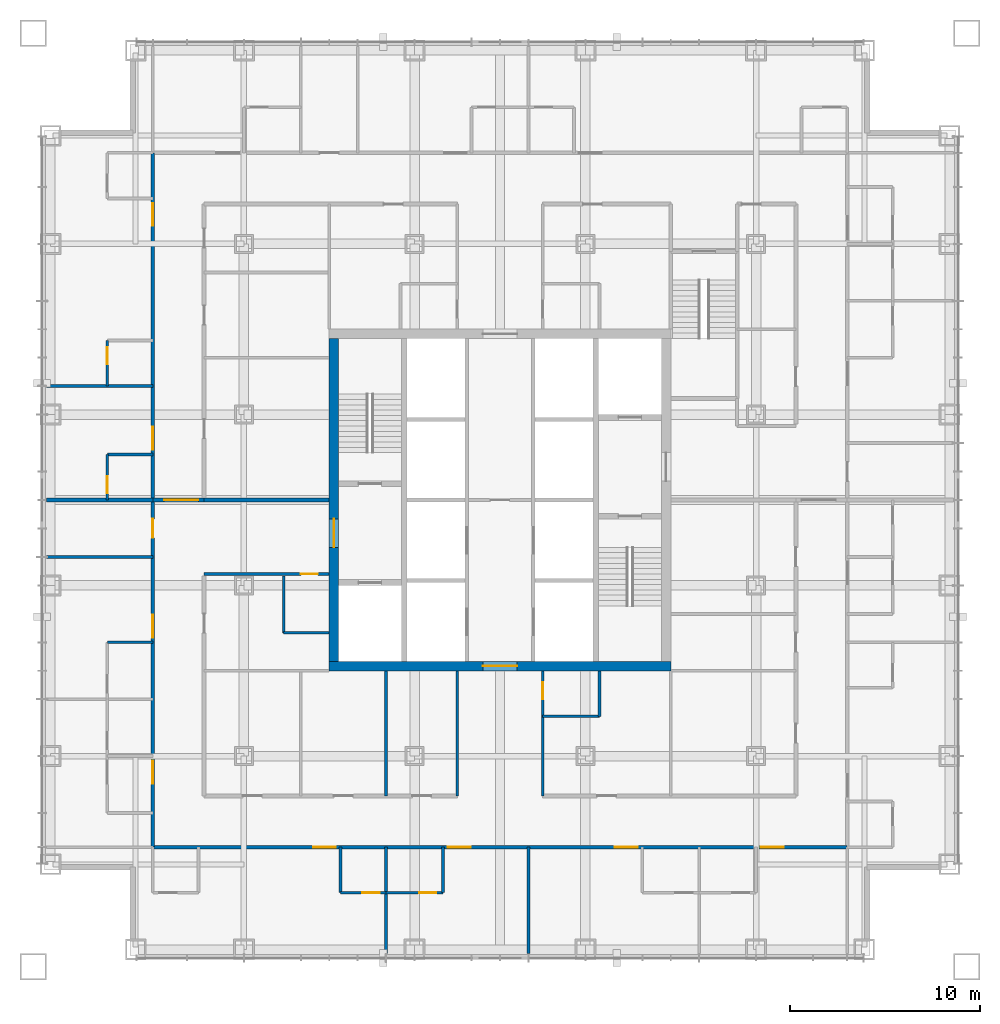
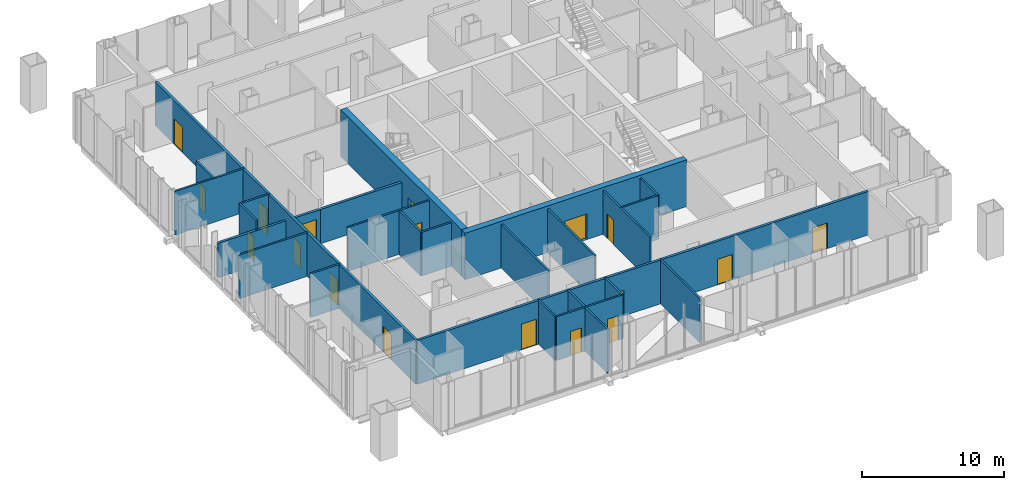
# One storey, part 9 of 16: 27 walls, 18 doors, 18 openings.
"""IFC4 building model written with IfcOpenShell, lengths in metres."""

from ifc_helpers import new_model, si_unit, direction, frame, frame_2d, origin, place, context, subcontext, project, spatial, rectangle, extrude, material, layer, layer_set, type_object, element, fill, save


model = new_model("IFC4")

# Units and contexts
model_context = context("Model", 3, precision=1e-05, world=origin(), true_north=direction((0.0, 1.0)))
body_context = subcontext(model_context, "Body", "Model", "MODEL_VIEW")
ifc_project = project(units=[si_unit("LENGTHUNIT", "METRE"), si_unit("AREAUNIT", "SQUARE_METRE"), si_unit("VOLUMEUNIT", "CUBIC_METRE"), si_unit("PLANEANGLEUNIT", "RADIAN"), si_unit("MASSUNIT", "GRAM", prefix="KILO")], contexts=[model_context])

# Site, building, storey
site_placement = place(None, origin())
site = spatial("IfcSite", under=ifc_project, at=site_placement, CompositionType="ELEMENT")
building_placement = place(site_placement, origin())
building = spatial("IfcBuilding", under=site, at=building_placement, Name="Malebo Sky Hospital", CompositionType="ELEMENT")
storey_placement = place(building_placement, frame((0.0, 0.0, 152.0)))
storey = spatial("IfcBuildingStorey", under=building, at=storey_placement, Name="L36", CompositionType="ELEMENT", Elevation=152.0)

# Wall, opening, door
ifc_material_1 = material(Name="Concrete C80/95", Category="concrete")
ifc_layer_1 = layer(ifc_material_1, 0.5)
ifc_layer_set_1 = layer_set([ifc_layer_1], Name="CORE WALL 500")
wall_type_1 = type_object("IfcWallType", Name="CORE WALL 500", PredefinedType="SHEAR", material=ifc_layer_set_1)
wall_1_placement = place(storey_placement, frame((51.0, 53.25, 0.0), z_axis=(0.0, 0.0, 1.0), x_axis=(1.0, 0.0, 0.0)))
wall_1 = element("IfcWall", 1, at=wall_1_placement, inside=storey, type_object=wall_type_1, Name="Core wall S L36", PredefinedType="SHEAR", context=body_context, shape_type="SweptSolid", body=[
    extrude(rectangle(XDim=18.0, YDim=0.5, at=frame_2d((9.0, 0.0))), origin(), (0.0, 0.0, 1.0), 4.0),
])
opening_1_placement = place(wall_1_placement, frame((8.10009765625, 0.0, 0.0)))
opening_1 = element("IfcOpeningElement", 2, at=opening_1_placement, cuts=wall_1, Name="Opening D06", PredefinedType="OPENING", context=body_context, shape_type="SweptSolid", body=[
    extrude(rectangle(XDim=1.800048828125, YDim=2.199951171875, at=frame_2d((0.89990234375, 1.10009765625))), frame((0.0, 0.260009765625, 0.0), z_axis=(0.0, -1.0, 0.0), x_axis=(1.0, 0.0, 0.0)), (0.0, 0.0, 1.0), 0.52001953125),
])
ifc_material_2 = material(Name="Hardwood-faced door leaf in steel frame", Category="steel")
door_type_1 = type_object("IfcDoorType", Name="LOBBY DOOR PAIR 1800", OperationType="DOUBLE_DOOR_SINGLE_SWING", PredefinedType="DOOR", material=ifc_material_2)
door_1_placement = place(opening_1_placement, origin())
door_1 = element("IfcDoor", 3, at=door_1_placement, inside=storey, type_object=door_type_1, Name="Lift lobby door south", OperationType="DOUBLE_DOOR_SINGLE_SWING", OverallHeight=2.199951171875, OverallWidth=1.800048828125, PredefinedType="DOOR", context=body_context, shape_type="SweptSolid", body=[
    extrude(rectangle(XDim=1.800048828125, YDim=2.199951171875, at=frame_2d((0.89990234375, 1.10009765625))), frame((0.0, 0.02490234375, 0.0), z_axis=(0.0, -1.0, 0.0), x_axis=(1.0, 0.0, 0.0)), (0.0, 0.0, 1.0), 0.050048828125),
])
fill(opening_1, door_1)

wall_2_placement = place(storey_placement, frame((51.25, 53.5, 0.0), z_axis=(0.0, 0.0, 1.0), x_axis=(0.0, 1.0, 0.0)))
wall_2 = element("IfcWall", 4, at=wall_2_placement, inside=storey, type_object=wall_type_1, Name="Core wall W L36", PredefinedType="SHEAR", context=body_context, shape_type="SweptSolid", body=[
    extrude(rectangle(XDim=17.0, YDim=0.5, at=frame_2d((8.5, 0.0))), origin(), (0.0, 0.0, 1.0), 4.0),
])
opening_2_placement = place(wall_2_placement, frame((6.0, 0.0, 0.0)))
opening_2 = element("IfcOpeningElement", 5, at=opening_2_placement, cuts=wall_2, Name="Opening D07", PredefinedType="OPENING", context=body_context, shape_type="SweptSolid", body=[
    extrude(rectangle(XDim=1.5, YDim=2.199951171875, at=frame_2d((0.75, 1.10009765625))), frame((0.0, 0.260009765625, 0.0), z_axis=(0.0, -1.0, 0.0), x_axis=(1.0, 0.0, 0.0)), (0.0, 0.0, 1.0), 0.52001953125),
])
door_type_2 = type_object("IfcDoorType", Name="FIRE-FIGHTING LOBBY DOOR PAIR 1500", OperationType="DOUBLE_DOOR_SINGLE_SWING", PredefinedType="DOOR", material=ifc_material_2)
door_2_placement = place(opening_2_placement, origin())
door_2 = element("IfcDoor", 6, at=door_2_placement, inside=storey, type_object=door_type_2, Name="Fire-fighting lobby door west", OperationType="DOUBLE_DOOR_SINGLE_SWING", OverallHeight=2.199951171875, OverallWidth=1.5, PredefinedType="DOOR", context=body_context, shape_type="SweptSolid", body=[
    extrude(rectangle(XDim=1.5, YDim=2.199951171875, at=frame_2d((0.75, 1.10009765625))), frame((0.0, 0.02490234375, 0.0), z_axis=(0.0, -1.0, 0.0), x_axis=(1.0, 0.0, 0.0)), (0.0, 0.0, 1.0), 0.050048828125),
])
fill(opening_2, door_2)

# Wall, openings, doors
ifc_material_3 = material(Name="Gypsum board on steel studs", Category="steel")
ifc_layer_2 = layer(ifc_material_3, 0.199951171875)
ifc_layer_set_2 = layer_set([ifc_layer_2], Name="CORRIDOR WALL 200")
wall_type_2 = type_object("IfcWallType", Name="CORRIDOR WALL 200", PredefinedType="PARTITIONING", material=ifc_layer_set_2)
wall_3_placement = place(storey_placement, frame((41.699951171875, 43.699951171875, 0.0), z_axis=(0.0, 0.0, 1.0), x_axis=(0.0, 1.0, 0.0)))
wall_3 = element("IfcWall", 7, at=wall_3_placement, inside=storey, type_object=wall_type_2, Name="Corridor Wall 200 WCO", PredefinedType="PARTITIONING", context=body_context, shape_type="SweptSolid", body=[
    extrude(rectangle(XDim=36.60009765625, YDim=0.199951171875, at=frame_2d((18.300048828125, 0.0))), origin(), (0.0, 0.0, 1.0), 3.75),
])
opening_3_placement = place(wall_3_placement, frame((3.35009765625, 0.0, 0.0)))
opening_3 = element("IfcOpeningElement", 8, at=opening_3_placement, cuts=wall_3, Name="Opening D18", PredefinedType="OPENING", context=body_context, shape_type="SweptSolid", body=[
    extrude(rectangle(XDim=1.199951171875, YDim=2.199951171875, at=frame_2d((0.60009765625, 1.10009765625))), frame((0.0, 0.10986328125, 0.0), z_axis=(0.0, -1.0, 0.0), x_axis=(1.0, 0.0, 0.0)), (0.0, 0.0, 1.0), 0.219970703125),
])
opening_4_placement = place(wall_3_placement, frame((11.050048828125, 0.0, 0.0)))
opening_4 = element("IfcOpeningElement", 9, at=opening_4_placement, cuts=wall_3, Name="Opening D01", PredefinedType="OPENING", context=body_context, shape_type="SweptSolid", body=[
    extrude(rectangle(XDim=1.199951171875, YDim=2.199951171875, at=frame_2d((0.60009765625, 1.10009765625))), frame((0.0, 0.10986328125, 0.0), z_axis=(0.0, -1.0, 0.0), x_axis=(1.0, 0.0, 0.0)), (0.0, 0.0, 1.0), 0.219970703125),
])
opening_5_placement = place(wall_3_placement, frame((16.300048828125, 0.0, 0.0)))
opening_5 = element("IfcOpeningElement", 10, at=opening_5_placement, cuts=wall_3, Name="Opening D03", PredefinedType="OPENING", context=body_context, shape_type="SweptSolid", body=[
    extrude(rectangle(XDim=1.0, YDim=2.10009765625, at=frame_2d((0.5, 1.050048828125))), frame((0.0, 0.10986328125, 0.0), z_axis=(0.0, -1.0, 0.0), x_axis=(1.0, 0.0, 0.0)), (0.0, 0.0, 1.0), 0.219970703125),
])
opening_6_placement = place(wall_3_placement, frame((20.949951171875, 0.0, 0.0)))
opening_6 = element("IfcOpeningElement", 11, at=opening_6_placement, cuts=wall_3, Name="Opening D01", PredefinedType="OPENING", context=body_context, shape_type="SweptSolid", body=[
    extrude(rectangle(XDim=1.199951171875, YDim=2.199951171875, at=frame_2d((0.60009765625, 1.10009765625))), frame((0.0, 0.10986328125, 0.0), z_axis=(0.0, -1.0, 0.0), x_axis=(1.0, 0.0, 0.0)), (0.0, 0.0, 1.0), 0.219970703125),
])
opening_7_placement = place(wall_3_placement, frame((32.75, 0.0, 0.0)))
opening_7 = element("IfcOpeningElement", 12, at=opening_7_placement, cuts=wall_3, Name="Opening D01", PredefinedType="OPENING", context=body_context, shape_type="SweptSolid", body=[
    extrude(rectangle(XDim=1.199951171875, YDim=2.199951171875, at=frame_2d((0.60009765625, 1.10009765625))), frame((0.0, 0.10986328125, 0.0), z_axis=(0.0, -1.0, 0.0), x_axis=(1.0, 0.0, 0.0)), (0.0, 0.0, 1.0), 0.219970703125),
])
door_type_3 = type_object("IfcDoorType", Name="ANTEROOM DOOR 1200", OperationType="SINGLE_SWING_LEFT", PredefinedType="DOOR", material=ifc_material_2)
door_3_placement = place(opening_3_placement, origin())
door_3 = element("IfcDoor", 13, at=door_3_placement, inside=storey, type_object=door_type_3, Name="Anteroom door", OperationType="SINGLE_SWING_RIGHT", OverallHeight=2.199951171875, OverallWidth=1.199951171875, PredefinedType="DOOR", context=body_context, shape_type="SweptSolid", body=[
    extrude(rectangle(XDim=1.199951171875, YDim=2.199951171875, at=frame_2d((0.60009765625, 1.10009765625))), frame((0.0, 0.02490234375, 0.0), z_axis=(0.0, -1.0, 0.0), x_axis=(1.0, 0.0, 0.0)), (0.0, 0.0, 1.0), 0.050048828125),
])
fill(opening_3, door_3)
door_type_4 = type_object("IfcDoorType", Name="BED DOOR 1200", OperationType="SINGLE_SWING_LEFT", PredefinedType="DOOR", material=ifc_material_2)
door_4_placement = place(opening_4_placement, origin())
door_4 = element("IfcDoor", 14, at=door_4_placement, inside=storey, type_object=door_type_4, Name="Single bed room door", OperationType="SINGLE_SWING_LEFT", OverallHeight=2.199951171875, OverallWidth=1.199951171875, PredefinedType="DOOR", context=body_context, shape_type="SweptSolid", body=[
    extrude(rectangle(XDim=1.199951171875, YDim=2.199951171875, at=frame_2d((0.60009765625, 1.10009765625))), frame((0.0, 0.02490234375, 0.0), z_axis=(0.0, -1.0, 0.0), x_axis=(1.0, 0.0, 0.0)), (0.0, 0.0, 1.0), 0.050048828125),
])
fill(opening_4, door_4)
door_5_placement = place(opening_6_placement, origin())
door_5 = element("IfcDoor", 15, at=door_5_placement, inside=storey, type_object=door_type_4, Name="Single bed room door", OperationType="SINGLE_SWING_LEFT", OverallHeight=2.199951171875, OverallWidth=1.199951171875, PredefinedType="DOOR", context=body_context, shape_type="SweptSolid", body=[
    extrude(rectangle(XDim=1.199951171875, YDim=2.199951171875, at=frame_2d((0.60009765625, 1.10009765625))), frame((0.0, 0.02490234375, 0.0), z_axis=(0.0, -1.0, 0.0), x_axis=(1.0, 0.0, 0.0)), (0.0, 0.0, 1.0), 0.050048828125),
])
fill(opening_6, door_5)
door_6_placement = place(opening_7_placement, origin())
door_6 = element("IfcDoor", 16, at=door_6_placement, inside=storey, type_object=door_type_4, Name="Four-bed bay door", OperationType="SINGLE_SWING_RIGHT", OverallHeight=2.199951171875, OverallWidth=1.199951171875, PredefinedType="DOOR", context=body_context, shape_type="SweptSolid", body=[
    extrude(rectangle(XDim=1.199951171875, YDim=2.199951171875, at=frame_2d((0.60009765625, 1.10009765625))), frame((0.0, 0.02490234375, 0.0), z_axis=(0.0, -1.0, 0.0), x_axis=(1.0, 0.0, 0.0)), (0.0, 0.0, 1.0), 0.050048828125),
])
fill(opening_7, door_6)
door_type_5 = type_object("IfcDoorType", Name="ROOM DOOR 1000", OperationType="SINGLE_SWING_LEFT", PredefinedType="DOOR", material=ifc_material_2)
door_7_placement = place(opening_5_placement, origin())
door_7 = element("IfcDoor", 17, at=door_7_placement, inside=storey, type_object=door_type_5, Name="Counselling room door", OperationType="SINGLE_SWING_RIGHT", OverallHeight=2.10009765625, OverallWidth=1.0, PredefinedType="DOOR", context=body_context, shape_type="SweptSolid", body=[
    extrude(rectangle(XDim=1.0, YDim=2.10009765625, at=frame_2d((0.5, 1.050048828125))), frame((0.0, 0.02490234375, 0.0), z_axis=(0.0, -1.0, 0.0), x_axis=(1.0, 0.0, 0.0)), (0.0, 0.0, 1.0), 0.050048828125),
])
fill(opening_5, door_7)

wall_4_placement = place(storey_placement, frame((78.300048828125, 43.699951171875, 0.0), z_axis=(0.0, 0.0, 1.0), x_axis=(-1.0, 0.0, 0.0)))
wall_4 = element("IfcWall", 18, at=wall_4_placement, inside=storey, type_object=wall_type_2, Name="Corridor Wall 200 SCO", PredefinedType="PARTITIONING", context=body_context, shape_type="SweptSolid", body=[
    extrude(rectangle(XDim=36.60009765625, YDim=0.199951171875, at=frame_2d((18.300048828125, 0.0))), origin(), (0.0, 0.0, 1.0), 3.75),
])
opening_8_placement = place(wall_4_placement, frame((3.35009765625, 0.0, 0.0)))
opening_8 = element("IfcOpeningElement", 19, at=opening_8_placement, cuts=wall_4, Name="Opening D01", PredefinedType="OPENING", context=body_context, shape_type="SweptSolid", body=[
    extrude(rectangle(XDim=1.199951171875, YDim=2.199951171875, at=frame_2d((0.60009765625, 1.10009765625))), frame((0.0, 0.10986328125, 0.0), z_axis=(0.0, -1.0, 0.0), x_axis=(1.0, 0.0, 0.0)), (0.0, 0.0, 1.0), 0.219970703125),
])
opening_9_placement = place(wall_4_placement, frame((11.050048828125, 0.0, 0.0)))
opening_9 = element("IfcOpeningElement", 20, at=opening_9_placement, cuts=wall_4, Name="Opening D01", PredefinedType="OPENING", context=body_context, shape_type="SweptSolid", body=[
    extrude(rectangle(XDim=1.199951171875, YDim=2.199951171875, at=frame_2d((0.60009765625, 1.10009765625))), frame((0.0, 0.10986328125, 0.0), z_axis=(0.0, -1.0, 0.0), x_axis=(1.0, 0.0, 0.0)), (0.0, 0.0, 1.0), 0.219970703125),
])
opening_10_placement = place(wall_4_placement, frame((19.85009765625, 0.0, 0.0)))
opening_10 = element("IfcOpeningElement", 21, at=opening_10_placement, cuts=wall_4, Name="Opening D01", PredefinedType="OPENING", context=body_context, shape_type="SweptSolid", body=[
    extrude(rectangle(XDim=1.199951171875, YDim=2.199951171875, at=frame_2d((0.60009765625, 1.10009765625))), frame((0.0, 0.10986328125, 0.0), z_axis=(0.0, -1.0, 0.0), x_axis=(1.0, 0.0, 0.0)), (0.0, 0.0, 1.0), 0.219970703125),
])
opening_11_placement = place(wall_4_placement, frame((26.949951171875, 0.0, 0.0)))
opening_11 = element("IfcOpeningElement", 22, at=opening_11_placement, cuts=wall_4, Name="Opening D01", PredefinedType="OPENING", context=body_context, shape_type="SweptSolid", body=[
    extrude(rectangle(XDim=1.199951171875, YDim=2.199951171875, at=frame_2d((0.60009765625, 1.10009765625))), frame((0.0, 0.10986328125, 0.0), z_axis=(0.0, -1.0, 0.0), x_axis=(1.0, 0.0, 0.0)), (0.0, 0.0, 1.0), 0.219970703125),
])
door_8_placement = place(opening_8_placement, origin())
door_8 = element("IfcDoor", 23, at=door_8_placement, inside=storey, type_object=door_type_4, Name="Single bed room door", OperationType="SINGLE_SWING_RIGHT", OverallHeight=2.199951171875, OverallWidth=1.199951171875, PredefinedType="DOOR", context=body_context, shape_type="SweptSolid", body=[
    extrude(rectangle(XDim=1.199951171875, YDim=2.199951171875, at=frame_2d((0.60009765625, 1.10009765625))), frame((0.0, 0.02490234375, 0.0), z_axis=(0.0, -1.0, 0.0), x_axis=(1.0, 0.0, 0.0)), (0.0, 0.0, 1.0), 0.050048828125),
])
fill(opening_8, door_8)
door_9_placement = place(opening_9_placement, origin())
door_9 = element("IfcDoor", 24, at=door_9_placement, inside=storey, type_object=door_type_4, Name="Two-bed room door", OperationType="SINGLE_SWING_LEFT", OverallHeight=2.199951171875, OverallWidth=1.199951171875, PredefinedType="DOOR", context=body_context, shape_type="SweptSolid", body=[
    extrude(rectangle(XDim=1.199951171875, YDim=2.199951171875, at=frame_2d((0.60009765625, 1.10009765625))), frame((0.0, 0.02490234375, 0.0), z_axis=(0.0, -1.0, 0.0), x_axis=(1.0, 0.0, 0.0)), (0.0, 0.0, 1.0), 0.050048828125),
])
fill(opening_9, door_9)
door_10_placement = place(opening_10_placement, origin())
door_10 = element("IfcDoor", 25, at=door_10_placement, inside=storey, type_object=door_type_4, Name="Single bed room door", OperationType="SINGLE_SWING_RIGHT", OverallHeight=2.199951171875, OverallWidth=1.199951171875, PredefinedType="DOOR", context=body_context, shape_type="SweptSolid", body=[
    extrude(rectangle(XDim=1.199951171875, YDim=2.199951171875, at=frame_2d((0.60009765625, 1.10009765625))), frame((0.0, 0.02490234375, 0.0), z_axis=(0.0, -1.0, 0.0), x_axis=(1.0, 0.0, 0.0)), (0.0, 0.0, 1.0), 0.050048828125),
])
fill(opening_10, door_10)
door_11_placement = place(opening_11_placement, origin())
door_11 = element("IfcDoor", 26, at=door_11_placement, inside=storey, type_object=door_type_4, Name="Four-bed bay door", OperationType="SINGLE_SWING_LEFT", OverallHeight=2.199951171875, OverallWidth=1.199951171875, PredefinedType="DOOR", context=body_context, shape_type="SweptSolid", body=[
    extrude(rectangle(XDim=1.199951171875, YDim=2.199951171875, at=frame_2d((0.60009765625, 1.10009765625))), frame((0.0, 0.02490234375, 0.0), z_axis=(0.0, -1.0, 0.0), x_axis=(1.0, 0.0, 0.0)), (0.0, 0.0, 1.0), 0.050048828125),
])
fill(opening_11, door_11)

# Walls
ifc_layer_3 = layer(ifc_material_3, 0.14990234375)
ifc_layer_set_3 = layer_set([ifc_layer_3], Name="PARTITION 150")
wall_type_3 = type_object("IfcWallType", Name="PARTITION 150", PredefinedType="PARTITIONING", material=ifc_layer_set_3)
for number, where, z_axis, x_axis, name in (
    (27, (41.699951171875, 59.0, 0.0), (0.0, 0.0, 1.0), (-1.0, 0.0, 0.0), "Partition 150 WP-3.0"),
    (28, (41.699951171875, 68.0, 0.0), (0.0, 0.0, 1.0), (-1.0, 0.0, 0.0), "Partition 150 WP+6.0"),
):
    element("IfcWall", number, at=place(storey_placement, frame(where, z_axis=z_axis, x_axis=x_axis)), inside=storey, type_object=wall_type_3, Name=name, PredefinedType="PARTITIONING", context=body_context, shape_type="SweptSolid", body=[
        extrude(rectangle(XDim=5.60986328125, YDim=0.14990234375, at=frame_2d((2.804931640625, 0.0))), origin(), (0.0, 0.0, 1.0), 3.75),
    ])
wall_5_placement = place(storey_placement, frame((41.699951171875, 54.5, 0.0), z_axis=(0.0, 0.0, 1.0), x_axis=(-1.0, 0.0, 0.0)))
element("IfcWall", 29, at=wall_5_placement, inside=storey, type_object=wall_type_3, Name="Partition 150 WE1S", PredefinedType="PARTITIONING", context=body_context, shape_type="SweptSolid", body=[
    extrude(rectangle(XDim=2.39990234375, YDim=0.14990234375, at=frame_2d((1.199951171875, 0.0))), origin(), (0.0, 0.0, 1.0), 3.75),
])

# Wall, opening, door
wall_6_placement = place(storey_placement, frame((39.300048828125, 62.0, 0.0), z_axis=(0.0, 0.0, 1.0), x_axis=(0.0, 1.0, 0.0)))
wall_6 = element("IfcWall", 30, at=wall_6_placement, inside=storey, type_object=wall_type_3, Name="Partition 150 WE3F", PredefinedType="PARTITIONING", context=body_context, shape_type="SweptSolid", body=[
    extrude(rectangle(XDim=2.39990234375, YDim=0.14990234375, at=frame_2d((1.199951171875, 0.0))), origin(), (0.0, 0.0, 1.0), 3.75),
])
opening_12_placement = place(wall_6_placement, frame((0.35009765625, 0.0, 0.0)))
opening_12 = element("IfcOpeningElement", 31, at=opening_12_placement, cuts=wall_6, Name="Opening D02", PredefinedType="OPENING", context=body_context, shape_type="SweptSolid", body=[
    extrude(rectangle(XDim=0.89990234375, YDim=2.10009765625, at=frame_2d((0.449951171875, 1.050048828125))), frame((0.0, 0.0849609375, 0.0), z_axis=(0.0, -1.0, 0.0), x_axis=(1.0, 0.0, 0.0)), (0.0, 0.0, 1.0), 0.169921875),
])
door_type_6 = type_object("IfcDoorType", Name="EN-SUITE DOOR 900", OperationType="SINGLE_SWING_LEFT", PredefinedType="DOOR", material=ifc_material_2)
door_12_placement = place(opening_12_placement, origin())
door_12 = element("IfcDoor", 32, at=door_12_placement, inside=storey, type_object=door_type_6, Name="En-suite door", OperationType="SINGLE_SWING_LEFT", OverallHeight=2.10009765625, OverallWidth=0.89990234375, PredefinedType="DOOR", context=body_context, shape_type="SweptSolid", body=[
    extrude(rectangle(XDim=0.89990234375, YDim=2.10009765625, at=frame_2d((0.449951171875, 1.050048828125))), frame((0.0, 0.02490234375, 0.0), z_axis=(0.0, -1.0, 0.0), x_axis=(1.0, 0.0, 0.0)), (0.0, 0.0, 1.0), 0.050048828125),
])
fill(opening_12, door_12)

# Wall
wall_7_placement = place(storey_placement, frame((41.699951171875, 64.39990234375, 0.0), z_axis=(0.0, 0.0, 1.0), x_axis=(-1.0, 0.0, 0.0)))
element("IfcWall", 33, at=wall_7_placement, inside=storey, type_object=wall_type_3, Name="Partition 150 WE3S", PredefinedType="PARTITIONING", context=body_context, shape_type="SweptSolid", body=[
    extrude(rectangle(XDim=2.39990234375, YDim=0.14990234375, at=frame_2d((1.199951171875, 0.0))), origin(), (0.0, 0.0, 1.0), 3.75),
])

# Wall, opening, door
wall_8_placement = place(storey_placement, frame((39.300048828125, 68.0, 0.0), z_axis=(0.0, 0.0, 1.0), x_axis=(0.0, 1.0, 0.0)))
wall_8 = element("IfcWall", 34, at=wall_8_placement, inside=storey, type_object=wall_type_3, Name="Partition 150 WG4F", PredefinedType="PARTITIONING", context=body_context, shape_type="SweptSolid", body=[
    extrude(rectangle(XDim=2.39990234375, YDim=0.14990234375, at=frame_2d((1.199951171875, 0.0))), origin(), (0.0, 0.0, 1.0), 3.75),
])
opening_13_placement = place(wall_8_placement, frame((1.14990234375, 0.0, 0.0)))
opening_13 = element("IfcOpeningElement", 35, at=opening_13_placement, cuts=wall_8, Name="Opening D02", PredefinedType="OPENING", context=body_context, shape_type="SweptSolid", body=[
    extrude(rectangle(XDim=0.89990234375, YDim=2.10009765625, at=frame_2d((0.449951171875, 1.050048828125))), frame((0.0, 0.0849609375, 0.0), z_axis=(0.0, -1.0, 0.0), x_axis=(1.0, 0.0, 0.0)), (0.0, 0.0, 1.0), 0.169921875),
])
door_13_placement = place(opening_13_placement, origin())
door_13 = element("IfcDoor", 36, at=door_13_placement, inside=storey, type_object=door_type_6, Name="En-suite door", OperationType="SINGLE_SWING_RIGHT", OverallHeight=2.10009765625, OverallWidth=0.89990234375, PredefinedType="DOOR", context=body_context, shape_type="SweptSolid", body=[
    extrude(rectangle(XDim=0.89990234375, YDim=2.10009765625, at=frame_2d((0.449951171875, 1.050048828125))), frame((0.0, 0.02490234375, 0.0), z_axis=(0.0, -1.0, 0.0), x_axis=(1.0, 0.0, 0.0)), (0.0, 0.0, 1.0), 0.050048828125),
])
fill(opening_13, door_13)

wall_9_placement = place(storey_placement, frame((51.0, 58.10009765625, 0.0), z_axis=(0.0, 0.0, 1.0), x_axis=(-1.0, 0.0, 0.0)))
wall_9 = element("IfcWall", 37, at=wall_9_placement, inside=storey, type_object=wall_type_3, Name="Partition 150 WSPA", PredefinedType="PARTITIONING", context=body_context, shape_type="SweptSolid", body=[
    extrude(rectangle(XDim=6.60009765625, YDim=0.14990234375, at=frame_2d((3.300048828125, 0.0))), origin(), (0.0, 0.0, 1.0), 3.75),
])
opening_14_placement = place(wall_9_placement, frame((0.60009765625, 0.0, 0.0)))
opening_14 = element("IfcOpeningElement", 38, at=opening_14_placement, cuts=wall_9, Name="Opening D04", PredefinedType="OPENING", context=body_context, shape_type="SweptSolid", body=[
    extrude(rectangle(XDim=0.89990234375, YDim=2.10009765625, at=frame_2d((0.449951171875, 1.050048828125))), frame((0.0, 0.0849609375, 0.0), z_axis=(0.0, -1.0, 0.0), x_axis=(1.0, 0.0, 0.0)), (0.0, 0.0, 1.0), 0.169921875),
])
door_type_7 = type_object("IfcDoorType", Name="ROOM DOOR 900", OperationType="SINGLE_SWING_LEFT", PredefinedType="DOOR", material=ifc_material_2)
door_14_placement = place(opening_14_placement, origin())
door_14 = element("IfcDoor", 39, at=door_14_placement, inside=storey, type_object=door_type_7, Name="Cleaner's room door", OperationType="SINGLE_SWING_LEFT", OverallHeight=2.10009765625, OverallWidth=0.89990234375, PredefinedType="DOOR", context=body_context, shape_type="SweptSolid", body=[
    extrude(rectangle(XDim=0.89990234375, YDim=2.10009765625, at=frame_2d((0.449951171875, 1.050048828125))), frame((0.0, 0.02490234375, 0.0), z_axis=(0.0, -1.0, 0.0), x_axis=(1.0, 0.0, 0.0)), (0.0, 0.0, 1.0), 0.050048828125),
])
fill(opening_14, door_14)

# Walls
wall_10_placement = place(storey_placement, frame((48.60009765625, 55.0, 0.0), z_axis=(0.0, 0.0, 1.0), x_axis=(0.0, 1.0, 0.0)))
element("IfcWall", 40, at=wall_10_placement, inside=storey, type_object=wall_type_3, Name="Partition 150 WSX0", PredefinedType="PARTITIONING", context=body_context, shape_type="SweptSolid", body=[
    extrude(rectangle(XDim=3.0, YDim=0.14990234375, at=frame_2d((1.5, 0.0))), origin(), (0.0, 0.0, 1.0), 3.75),
])
wall_11_placement = place(storey_placement, frame((51.0, 55.0, 0.0), z_axis=(0.0, 0.0, 1.0), x_axis=(-1.0, 0.0, 0.0)))
element("IfcWall", 41, at=wall_11_placement, inside=storey, type_object=wall_type_3, Name="Partition 150 WSY0", PredefinedType="PARTITIONING", context=body_context, shape_type="SweptSolid", body=[
    extrude(rectangle(XDim=2.39990234375, YDim=0.14990234375, at=frame_2d((1.199951171875, 0.0))), origin(), (0.0, 0.0, 1.0), 3.75),
])
for number, where, z_axis, x_axis, name in (
    (42, (61.5, 43.699951171875, 0.0), (0.0, 0.0, 1.0), (0.0, -1.0, 0.0), "Partition 150 SP-1.5"),
    (43, (54.0, 43.699951171875, 0.0), (0.0, 0.0, 1.0), (0.0, -1.0, 0.0), "Partition 150 SP+6.0"),
):
    element("IfcWall", number, at=place(storey_placement, frame(where, z_axis=z_axis, x_axis=x_axis)), inside=storey, type_object=wall_type_3, Name=name, PredefinedType="PARTITIONING", context=body_context, shape_type="SweptSolid", body=[
        extrude(rectangle(XDim=5.60986328125, YDim=0.14990234375, at=frame_2d((2.804931640625, 0.0))), origin(), (0.0, 0.0, 1.0), 3.75),
    ])

# Wall, opening, door
wall_12_placement = place(storey_placement, frame((57.0, 41.300048828125, 0.0), z_axis=(0.0, 0.0, 1.0), x_axis=(-1.0, 0.0, 0.0)))
wall_12 = element("IfcWall", 44, at=wall_12_placement, inside=storey, type_object=wall_type_3, Name="Partition 150 SE2F", PredefinedType="PARTITIONING", context=body_context, shape_type="SweptSolid", body=[
    extrude(rectangle(XDim=3.0, YDim=0.14990234375, at=frame_2d((1.5, 0.0))), origin(), (0.0, 0.0, 1.0), 3.75),
])
opening_15_placement = place(wall_12_placement, frame((0.35009765625, 0.0, 0.0)))
opening_15 = element("IfcOpeningElement", 45, at=opening_15_placement, cuts=wall_12, Name="Opening D02", PredefinedType="OPENING", context=body_context, shape_type="SweptSolid", body=[
    extrude(rectangle(XDim=0.89990234375, YDim=2.10009765625, at=frame_2d((0.449951171875, 1.050048828125))), frame((0.0, 0.0849609375, 0.0), z_axis=(0.0, -1.0, 0.0), x_axis=(1.0, 0.0, 0.0)), (0.0, 0.0, 1.0), 0.169921875),
])
door_15_placement = place(opening_15_placement, origin())
door_15 = element("IfcDoor", 46, at=door_15_placement, inside=storey, type_object=door_type_6, Name="En-suite door", OperationType="SINGLE_SWING_LEFT", OverallHeight=2.10009765625, OverallWidth=0.89990234375, PredefinedType="DOOR", context=body_context, shape_type="SweptSolid", body=[
    extrude(rectangle(XDim=0.89990234375, YDim=2.10009765625, at=frame_2d((0.449951171875, 1.050048828125))), frame((0.0, 0.02490234375, 0.0), z_axis=(0.0, -1.0, 0.0), x_axis=(1.0, 0.0, 0.0)), (0.0, 0.0, 1.0), 0.050048828125),
])
fill(opening_15, door_15)

# Wall
wall_13_placement = place(storey_placement, frame((57.0, 43.699951171875, 0.0), z_axis=(0.0, 0.0, 1.0), x_axis=(0.0, -1.0, 0.0)))
element("IfcWall", 47, at=wall_13_placement, inside=storey, type_object=wall_type_3, Name="Partition 150 SE2S", PredefinedType="PARTITIONING", context=body_context, shape_type="SweptSolid", body=[
    extrude(rectangle(XDim=2.39990234375, YDim=0.14990234375, at=frame_2d((1.199951171875, 0.0))), origin(), (0.0, 0.0, 1.0), 3.75),
])

# Wall, opening, door
wall_14_placement = place(storey_placement, frame((54.0, 41.300048828125, 0.0), z_axis=(0.0, 0.0, 1.0), x_axis=(-1.0, 0.0, 0.0)))
wall_14 = element("IfcWall", 48, at=wall_14_placement, inside=storey, type_object=wall_type_3, Name="Partition 150 SE3F", PredefinedType="PARTITIONING", context=body_context, shape_type="SweptSolid", body=[
    extrude(rectangle(XDim=2.39990234375, YDim=0.14990234375, at=frame_2d((1.199951171875, 0.0))), origin(), (0.0, 0.0, 1.0), 3.75),
])
opening_16_placement = place(wall_14_placement, frame((0.35009765625, 0.0, 0.0)))
opening_16 = element("IfcOpeningElement", 49, at=opening_16_placement, cuts=wall_14, Name="Opening D02", PredefinedType="OPENING", context=body_context, shape_type="SweptSolid", body=[
    extrude(rectangle(XDim=0.89990234375, YDim=2.10009765625, at=frame_2d((0.449951171875, 1.050048828125))), frame((0.0, 0.0849609375, 0.0), z_axis=(0.0, -1.0, 0.0), x_axis=(1.0, 0.0, 0.0)), (0.0, 0.0, 1.0), 0.169921875),
])
door_16_placement = place(opening_16_placement, origin())
door_16 = element("IfcDoor", 50, at=door_16_placement, inside=storey, type_object=door_type_6, Name="En-suite door", OperationType="SINGLE_SWING_LEFT", OverallHeight=2.10009765625, OverallWidth=0.89990234375, PredefinedType="DOOR", context=body_context, shape_type="SweptSolid", body=[
    extrude(rectangle(XDim=0.89990234375, YDim=2.10009765625, at=frame_2d((0.449951171875, 1.050048828125))), frame((0.0, 0.02490234375, 0.0), z_axis=(0.0, -1.0, 0.0), x_axis=(1.0, 0.0, 0.0)), (0.0, 0.0, 1.0), 0.050048828125),
])
fill(opening_16, door_16)

# Wall
wall_15_placement = place(storey_placement, frame((51.60009765625, 43.699951171875, 0.0), z_axis=(0.0, 0.0, 1.0), x_axis=(0.0, -1.0, 0.0)))
element("IfcWall", 51, at=wall_15_placement, inside=storey, type_object=wall_type_3, Name="Partition 150 SE3S", PredefinedType="PARTITIONING", context=body_context, shape_type="SweptSolid", body=[
    extrude(rectangle(XDim=2.39990234375, YDim=0.14990234375, at=frame_2d((1.199951171875, 0.0))), origin(), (0.0, 0.0, 1.0), 3.75),
])

# Wall, opening, door
wall_16_placement = place(storey_placement, frame((62.25, 53.0, 0.0), z_axis=(0.0, 0.0, 1.0), x_axis=(0.0, -1.0, 0.0)))
wall_16 = element("IfcWall", 52, at=wall_16_placement, inside=storey, type_object=wall_type_3, Name="Partition 150 SSPA", PredefinedType="PARTITIONING", context=body_context, shape_type="SweptSolid", body=[
    extrude(rectangle(XDim=6.60009765625, YDim=0.14990234375, at=frame_2d((3.300048828125, 0.0))), origin(), (0.0, 0.0, 1.0), 3.75),
])
opening_17_placement = place(wall_16_placement, frame((0.60009765625, 0.0, 0.0)))
opening_17 = element("IfcOpeningElement", 53, at=opening_17_placement, cuts=wall_16, Name="Opening D04", PredefinedType="OPENING", context=body_context, shape_type="SweptSolid", body=[
    extrude(rectangle(XDim=0.89990234375, YDim=2.10009765625, at=frame_2d((0.449951171875, 1.050048828125))), frame((0.0, 0.0849609375, 0.0), z_axis=(0.0, -1.0, 0.0), x_axis=(1.0, 0.0, 0.0)), (0.0, 0.0, 1.0), 0.169921875),
])
door_17_placement = place(opening_17_placement, origin())
door_17 = element("IfcDoor", 54, at=door_17_placement, inside=storey, type_object=door_type_7, Name="Visitor WC door", OperationType="SINGLE_SWING_LEFT", OverallHeight=2.10009765625, OverallWidth=0.89990234375, PredefinedType="DOOR", context=body_context, shape_type="SweptSolid", body=[
    extrude(rectangle(XDim=0.89990234375, YDim=2.10009765625, at=frame_2d((0.449951171875, 1.050048828125))), frame((0.0, 0.02490234375, 0.0), z_axis=(0.0, -1.0, 0.0), x_axis=(1.0, 0.0, 0.0)), (0.0, 0.0, 1.0), 0.050048828125),
])
fill(opening_17, door_17)

# Walls
for number, where, z_axis, x_axis, name in (
    (55, (57.75, 53.0, 0.0), (0.0, 0.0, 1.0), (0.0, -1.0, 0.0), "Partition 150 SSPB"),
    (56, (54.0, 53.0, 0.0), (0.0, 0.0, 1.0), (0.0, -1.0, 0.0), "Partition 150 SSP+6.0"),
):
    element("IfcWall", number, at=place(storey_placement, frame(where, z_axis=z_axis, x_axis=x_axis)), inside=storey, type_object=wall_type_3, Name=name, PredefinedType="PARTITIONING", context=body_context, shape_type="SweptSolid", body=[
        extrude(rectangle(XDim=6.60009765625, YDim=0.14990234375, at=frame_2d((3.300048828125, 0.0))), origin(), (0.0, 0.0, 1.0), 3.75),
    ])
wall_17_placement = place(storey_placement, frame((65.25, 50.60009765625, 0.0), z_axis=(0.0, 0.0, 1.0), x_axis=(-1.0, 0.0, 0.0)))
element("IfcWall", 57, at=wall_17_placement, inside=storey, type_object=wall_type_3, Name="Partition 150 SSX0", PredefinedType="PARTITIONING", context=body_context, shape_type="SweptSolid", body=[
    extrude(rectangle(XDim=3.0, YDim=0.14990234375, at=frame_2d((1.5, 0.0))), origin(), (0.0, 0.0, 1.0), 3.75),
])
wall_18_placement = place(storey_placement, frame((65.25, 53.0, 0.0), z_axis=(0.0, 0.0, 1.0), x_axis=(0.0, -1.0, 0.0)))
element("IfcWall", 58, at=wall_18_placement, inside=storey, type_object=wall_type_3, Name="Partition 150 SSY0", PredefinedType="PARTITIONING", context=body_context, shape_type="SweptSolid", body=[
    extrude(rectangle(XDim=2.39990234375, YDim=0.14990234375, at=frame_2d((1.199951171875, 0.0))), origin(), (0.0, 0.0, 1.0), 3.75),
])
ifc_material_4 = material(Name="Concrete blockwork", Category="masonry")
ifc_layer_4 = layer(ifc_material_4, 0.199951171875)
ifc_layer_set_4 = layer_set([ifc_layer_4], Name="SMOKE BARRIER WALL 200")
wall_type_4 = type_object("IfcWallType", Name="SMOKE BARRIER WALL 200", PredefinedType="SOLIDWALL", material=ifc_layer_set_4)
wall_19_placement = place(storey_placement, frame((41.699951171875, 62.0, 0.0), z_axis=(0.0, 0.0, 1.0), x_axis=(-1.0, 0.0, 0.0)))
element("IfcWall", 59, at=wall_19_placement, inside=storey, type_object=wall_type_4, Name="Smoke Barrier Wall 200 WP+0.0", PredefinedType="SOLIDWALL", context=body_context, shape_type="SweptSolid", body=[
    extrude(rectangle(XDim=5.60986328125, YDim=0.199951171875, at=frame_2d((2.804931640625, 0.0))), origin(), (0.0, 0.0, 1.0), 2.949951171875),
])
wall_20_placement = place(storey_placement, frame((51.0, 62.0, 0.0), z_axis=(0.0, 0.0, 1.0), x_axis=(-1.0, 0.0, 0.0)))
element("IfcWall", 60, at=wall_20_placement, inside=storey, type_object=wall_type_4, Name="Smoke Barrier Wall 200 WSPB", PredefinedType="SOLIDWALL", context=body_context, shape_type="SweptSolid", body=[
    extrude(rectangle(XDim=6.60009765625, YDim=0.199951171875, at=frame_2d((3.300048828125, 0.0))), origin(), (0.0, 0.0, 1.0), 2.949951171875),
])

# Wall, opening, door
wall_21_placement = place(storey_placement, frame((44.39990234375, 62.0, 0.0), z_axis=(0.0, 0.0, 1.0), x_axis=(-1.0, 0.0, 0.0)))
wall_21 = element("IfcWall", 61, at=wall_21_placement, inside=storey, type_object=wall_type_4, Name="Smoke Barrier Wall 200 WSB", PredefinedType="SOLIDWALL", context=body_context, shape_type="SweptSolid", body=[
    extrude(rectangle(XDim=2.699951171875, YDim=0.199951171875, at=frame_2d((1.35009765625, 0.0))), origin(), (0.0, 0.0, 1.0), 2.949951171875),
])
opening_18_placement = place(wall_21_placement, frame((0.300048828125, 0.0, 0.0)))
opening_18 = element("IfcOpeningElement", 62, at=opening_18_placement, cuts=wall_21, Name="Opening D05", PredefinedType="OPENING", context=body_context, shape_type="SweptSolid", body=[
    extrude(rectangle(XDim=1.800048828125, YDim=2.199951171875, at=frame_2d((0.89990234375, 1.10009765625))), frame((0.0, 0.10986328125, 0.0), z_axis=(0.0, -1.0, 0.0), x_axis=(1.0, 0.0, 0.0)), (0.0, 0.0, 1.0), 0.219970703125),
])
door_type_8 = type_object("IfcDoorType", Name="SMOKE DOOR PAIR 1800", OperationType="DOUBLE_DOOR_DOUBLE_SWING", PredefinedType="DOOR", material=ifc_material_2)
door_18_placement = place(opening_18_placement, origin())
door_18 = element("IfcDoor", 63, at=door_18_placement, inside=storey, type_object=door_type_8, Name="Smoke compartment door pair", OperationType="DOUBLE_DOOR_DOUBLE_SWING", OverallHeight=2.199951171875, OverallWidth=1.800048828125, PredefinedType="DOOR", context=body_context, shape_type="SweptSolid", body=[
    extrude(rectangle(XDim=1.800048828125, YDim=2.199951171875, at=frame_2d((0.89990234375, 1.10009765625))), frame((0.0, 0.02490234375, 0.0), z_axis=(0.0, -1.0, 0.0), x_axis=(1.0, 0.0, 0.0)), (0.0, 0.0, 1.0), 0.050048828125),
])
fill(opening_18, door_18)

save(model, "model.ifc")
